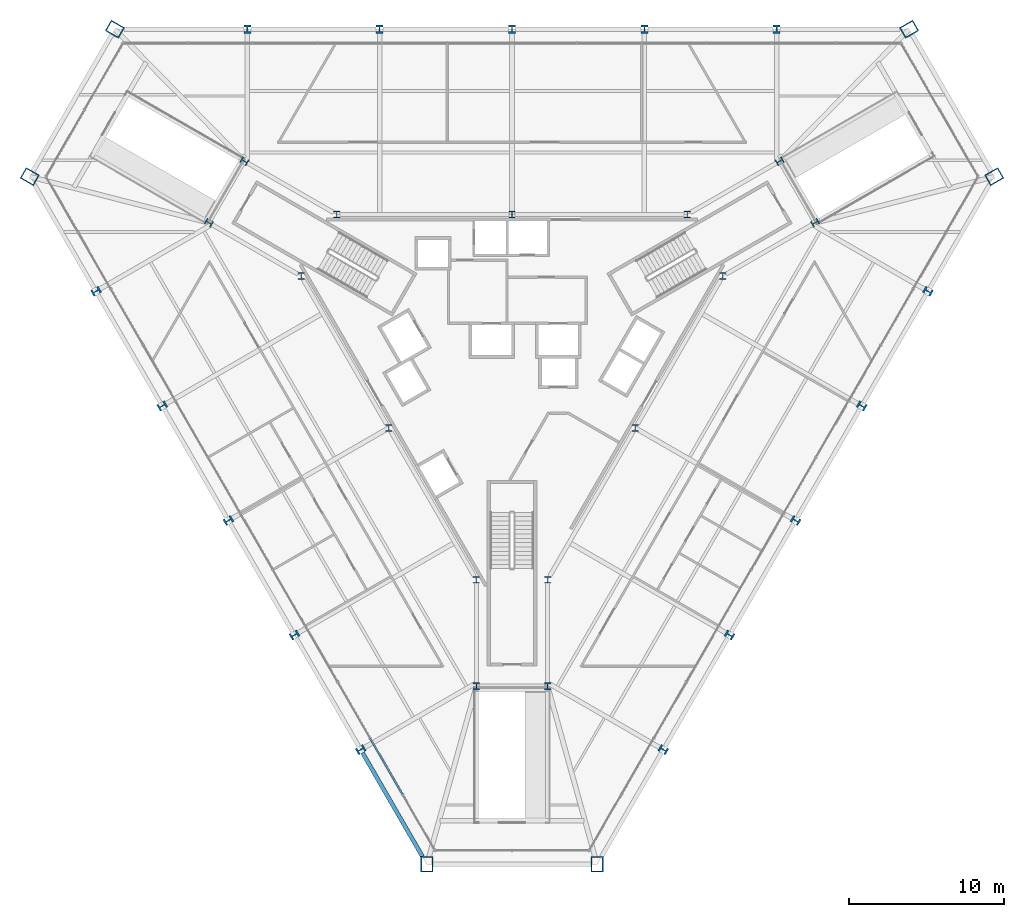
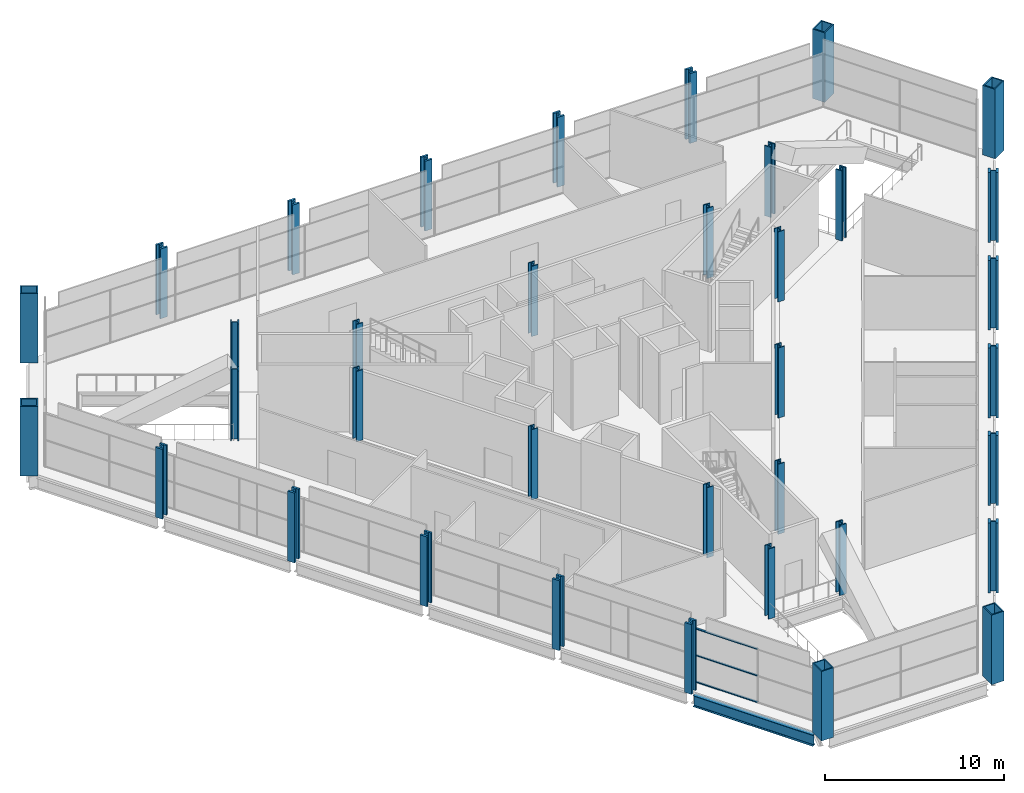
# One storey, part 1 of 18: 36 columns, 3 members, 1 beam, 1 element without a shape of its own.
"""IFC4 building model written with IfcOpenShell, lengths in metres."""

from ifc_helpers import new_model, si_unit, direction, frame, origin, origin_2d, place, context, subcontext, project, spatial, rectangle, hollow_rectangle, i_section, extrude, material, layer, layer_set, material_profile, profile_set, type_object, element, aggregate, save


model = new_model("IFC4")

# Units and contexts
model_context = context("Model", 3, precision=1e-05, world=origin(), true_north=direction((0.0, 1.0)))
body_context = subcontext(model_context, "Body", "Model", "MODEL_VIEW")
ifc_project = project(units=[si_unit("LENGTHUNIT", "METRE"), si_unit("AREAUNIT", "SQUARE_METRE"), si_unit("VOLUMEUNIT", "CUBIC_METRE"), si_unit("PLANEANGLEUNIT", "RADIAN"), si_unit("MASSUNIT", "GRAM", prefix="KILO")], contexts=[model_context])

# Site, building, storey
site_placement = place(None, origin())
site = spatial("IfcSite", under=ifc_project, at=site_placement, CompositionType="ELEMENT")
building_placement = place(site_placement, origin())
building = spatial("IfcBuilding", under=site, at=building_placement, Name="Verrane Prism Tower", CompositionType="ELEMENT")
storey_placement = place(building_placement, frame((0.0, 0.0, 27.199951171875)))
storey = spatial("IfcBuildingStorey", under=building, at=storey_placement, Name="L04", CompositionType="ELEMENT", Elevation=27.199951171875)

# Columns
ifc_material_1 = material(Name="Steel A992", Category="steel")
ifc_material_profile_1 = material_profile(ifc_material_1, i_section(OverallWidth=0.424072265625, OverallDepth=0.47509765625, WebThickness=0.0478515625, FlangeThickness=0.0771484375, FilletRadius=0.014892578125, at=origin_2d()), Name="W14x426")
ifc_profile_set_1 = profile_set([ifc_material_profile_1], Name="Steel A992")
column_type_1 = type_object("IfcColumnType", Name="Core corner column W14x426", PredefinedType="COLUMN", material=ifc_profile_set_1)
for number, where, z_axis, x_axis, name in (
    (1, (19.60009765625, 8.659912109375, 0.0), (0.0, 0.0, 1.0), (0.5, -0.866025403784, 0.0), "Core corner column CK-NEm L04"),
    (2, (17.300048828125, 12.639892578125, 0.0), (0.0, 0.0, 1.0), (0.5, -0.866025403784, 0.0), "Core corner column CK-NEp L04"),
    (3, (-17.300048828125, 12.639892578125, 0.0), (0.0, 0.0, 1.0), (0.5, 0.866025403784, 0.0), "Core corner column CK-NWm L04"),
    (4, (-19.60009765625, 8.659912109375, 0.0), (0.0, 0.0, 1.0), (0.5, 0.866025403784, 0.0), "Core corner column CK-NWp L04"),
    (5, (-2.300048828125, -21.300048828125, 0.0), (0.0, 0.0, 1.0), (-1.0, 0.0, 0.0), "Core corner column CK-Sm L04"),
    (6, (2.300048828125, -21.300048828125, 0.0), (0.0, 0.0, 1.0), (-1.0, 0.0, 0.0), "Core corner column CK-Sp L04"),
):
    element("IfcColumn", number, at=place(storey_placement, frame(where, z_axis=z_axis, x_axis=x_axis)), inside=storey, type_object=column_type_1, Name=name, PredefinedType="COLUMN", context=body_context, shape_type="SweptSolid", body=[
        extrude(i_section(OverallWidth=0.424072265625, OverallDepth=0.47509765625, WebThickness=0.0478515625, FlangeThickness=0.0771484375, FilletRadius=0.014892578125, at=origin_2d()), origin(), (0.0, 0.0, 1.0), 4.800048828125),
    ])
ifc_material_2 = material(Name="Steel A992", Category="steel")
ifc_material_profile_2 = material_profile(ifc_material_2, i_section(OverallWidth=0.411376953125, OverallDepth=0.434326171875, WebThickness=0.035888671875, FlangeThickness=0.057373046875, FilletRadius=0.01513671875, at=origin_2d()), Name="W14x311")
ifc_profile_set_2 = profile_set([ifc_material_profile_2], Name="Steel A992")
column_type_2 = type_object("IfcColumnType", Name="Core side column W14x311", PredefinedType="COLUMN", material=ifc_profile_set_2)
for number, where, z_axis, x_axis, name in (
    (7, (13.6298828125, 5.219970703125, 0.0), (0.0, 0.0, 1.0), (1.0, 0.0, 0.0), "Core side column CC-NEm L04"),
    (8, (11.330078125, 9.199951171875, 0.0), (0.0, 0.0, 1.0), (1.0, 0.0, 0.0), "Core side column CC-NEp L04"),
    (9, (0.0, 9.199951171875, 0.0), (0.0, 0.0, 1.0), (1.0, 0.0, 0.0), "Core side column CC-N0 L04"),
    (10, (-11.330078125, 9.199951171875, 0.0), (0.0, 0.0, 1.0), (1.0, 0.0, 0.0), "Core side column CC-NWm L04"),
    (11, (-13.6298828125, 5.219970703125, 0.0), (0.0, 0.0, 1.0), (1.0, 0.0, 0.0), "Core side column CC-NWp L04"),
    (12, (-7.969970703125, -4.60009765625, 0.0), (0.0, 0.0, 1.0), (1.0, 0.0, 0.0), "Core side column CC-SW0 L04"),
    (13, (-2.300048828125, -14.419921875, 0.0), (0.0, 0.0, 1.0), (1.0, 0.0, 0.0), "Core side column CC-Sm L04"),
    (14, (2.300048828125, -14.419921875, 0.0), (0.0, 0.0, 1.0), (1.0, 0.0, 0.0), "Core side column CC-Sp L04"),
    (15, (7.969970703125, -4.60009765625, 0.0), (0.0, 0.0, 1.0), (1.0, 0.0, 0.0), "Core side column CC-SE0 L04"),
):
    element("IfcColumn", number, at=place(storey_placement, frame(where, z_axis=z_axis, x_axis=x_axis)), inside=storey, type_object=column_type_2, Name=name, PredefinedType="COLUMN", context=body_context, shape_type="SweptSolid", body=[
        extrude(i_section(OverallWidth=0.411376953125, OverallDepth=0.434326171875, WebThickness=0.035888671875, FlangeThickness=0.057373046875, FilletRadius=0.01513671875, at=origin_2d()), origin(), (0.0, 0.0, 1.0), 4.800048828125),
    ])
ifc_material_3 = material(Name="Steel A572 Grade 50", Category="steel")
ifc_material_profile_3 = material_profile(ifc_material_3, hollow_rectangle(XDim=0.800048828125, YDim=1.0, WallThickness=0.074951171875, at=origin_2d()), Name="BOX 1000x800x75")
ifc_profile_set_3 = profile_set([ifc_material_profile_3], Name="Steel A572 Grade 50")
column_type_3 = type_object("IfcColumnType", Name="Megacolumn BOX 1000x800x75", PredefinedType="COLUMN", material=ifc_profile_set_3)
for number, where, z_axis, x_axis, name in (
    (16, (25.669921875, 21.169921875, 0.0), (0.0, 0.0, 1.0), (0.5, -0.866025403784, 0.0), "Megacolumn MC-NE.b L04"),
    (17, (-25.669921875, 21.169921875, 0.0), (0.0, 0.0, 1.0), (0.5, 0.866025403784, 0.0), "Megacolumn MC-NW.a L04"),
    (18, (-31.169921875, 11.639892578125, 0.0), (0.0, 0.0, 1.0), (0.5, 0.866025403784, 0.0), "Megacolumn MC-NW.b L04"),
    (19, (-5.5, -32.81005859375, 0.0), (0.0, 0.0, 1.0), (-1.0, 0.0, 0.0), "Megacolumn MC-S.a L04"),
    (20, (5.5, -32.81005859375, 0.0), (0.0, 0.0, 1.0), (-1.0, 0.0, 0.0), "Megacolumn MC-S.b L04"),
    (21, (31.169921875, 11.639892578125, 0.0), (0.0, 0.0, 1.0), (0.5, -0.866025403784, 0.0), "Megacolumn MC-NE.a L04"),
):
    element("IfcColumn", number, at=place(storey_placement, frame(where, z_axis=z_axis, x_axis=x_axis)), inside=storey, type_object=column_type_3, Name=name, PredefinedType="COLUMN", context=body_context, shape_type="SweptSolid", body=[
        extrude(hollow_rectangle(XDim=0.800048828125, YDim=1.0, WallThickness=0.074951171875, at=origin_2d()), origin(), (0.0, 0.0, 1.0), 4.755126953125),
    ])
ifc_material_4 = material(Name="Steel A992", Category="steel")
ifc_material_profile_4 = material_profile(ifc_material_4, i_section(OverallWidth=0.45458984375, OverallDepth=0.56884765625, WebThickness=0.077880859375, FlangeThickness=0.124755859375, FilletRadius=0.01513671875, at=origin_2d()), Name="W14x730")
ifc_profile_set_4 = profile_set([ifc_material_profile_4], Name="Steel A992")
column_type_4 = type_object("IfcColumnType", Name="Perimeter column W14x730", PredefinedType="COLUMN", material=ifc_profile_set_4)
column_1_placement = place(storey_placement, frame((17.110107421875, 21.169921875, 0.0), z_axis=(0.0, 0.0, 1.0), x_axis=(1.0, 0.0, 0.0)))
element("IfcColumn", 22, at=column_1_placement, inside=storey, type_object=column_type_4, Name="Perimeter column PC-N1 L04", PredefinedType="COLUMN", context=body_context, shape_type="SweptSolid", body=[
    extrude(i_section(OverallWidth=0.45458984375, OverallDepth=0.56884765625, WebThickness=0.077880859375, FlangeThickness=0.124755859375, FilletRadius=0.01513671875, at=origin_2d()), origin(), (0.0, 0.0, 1.0), 4.77001953125),
])
for number, where, z_axis, x_axis, name in (
    (23, (8.56005859375, 21.169921875, 0.0), (0.0, 0.0, 1.0), (1.0, 0.0, 0.0), "Perimeter column PC-N2 L04"),
    (24, (0.0, 21.169921875, 0.0), (0.0, 0.0, 1.0), (1.0, 0.0, 0.0), "Perimeter column PC-N3 L04"),
    (25, (-8.56005859375, 21.169921875, 0.0), (0.0, 0.0, 1.0), (1.0, 0.0, 0.0), "Perimeter column PC-N4 L04"),
):
    element("IfcColumn", number, at=place(storey_placement, frame(where, z_axis=z_axis, x_axis=x_axis)), inside=storey, type_object=column_type_4, Name=name, PredefinedType="COLUMN", context=body_context, shape_type="SweptSolid", body=[
        extrude(i_section(OverallWidth=0.45458984375, OverallDepth=0.56884765625, WebThickness=0.077880859375, FlangeThickness=0.124755859375, FilletRadius=0.01513671875, at=origin_2d()), origin(), (0.0, 0.0, 1.0), 4.775146484375),
    ])
for number, where, z_axis, x_axis, name in (
    (26, (-17.110107421875, 21.169921875, 0.0), (0.0, 0.0, 1.0), (1.0, 0.0, 0.0), "Perimeter column PC-N5 L04"),
    (27, (-26.889892578125, 4.22998046875, 0.0), (0.0, 0.0, 1.0), (-0.5, 0.866025403784, 0.0), "Perimeter column PC-SW1 L04"),
):
    element("IfcColumn", number, at=place(storey_placement, frame(where, z_axis=z_axis, x_axis=x_axis)), inside=storey, type_object=column_type_4, Name=name, PredefinedType="COLUMN", context=body_context, shape_type="SweptSolid", body=[
        extrude(i_section(OverallWidth=0.45458984375, OverallDepth=0.56884765625, WebThickness=0.077880859375, FlangeThickness=0.124755859375, FilletRadius=0.01513671875, at=origin_2d()), origin(), (0.0, 0.0, 1.0), 4.77001953125),
    ])
for number, where, z_axis, x_axis, name in (
    (28, (-22.610107421875, -3.179931640625, 0.0), (0.0, 0.0, 1.0), (-0.5, 0.866025403784, 0.0), "Perimeter column PC-SW2 L04"),
    (29, (-18.330078125, -10.590087890625, 0.0), (0.0, 0.0, 1.0), (-0.5, 0.866025403784, 0.0), "Perimeter column PC-SW3 L04"),
    (30, (-14.06005859375, -17.989990234375, 0.0), (0.0, 0.0, 1.0), (-0.5, 0.866025403784, 0.0), "Perimeter column PC-SW4 L04"),
):
    element("IfcColumn", number, at=place(storey_placement, frame(where, z_axis=z_axis, x_axis=x_axis)), inside=storey, type_object=column_type_4, Name=name, PredefinedType="COLUMN", context=body_context, shape_type="SweptSolid", body=[
        extrude(i_section(OverallWidth=0.45458984375, OverallDepth=0.56884765625, WebThickness=0.077880859375, FlangeThickness=0.124755859375, FilletRadius=0.01513671875, at=origin_2d()), origin(), (0.0, 0.0, 1.0), 4.775146484375),
    ])
for number, where, z_axis, x_axis, name in (
    (31, (-9.780029296875, -25.39990234375, 0.0), (0.0, 0.0, 1.0), (-0.5, 0.866025403784, 0.0), "Perimeter column PC-SW5 L04"),
    (32, (9.780029296875, -25.39990234375, 0.0), (0.0, 0.0, 1.0), (-0.5, -0.866025403784, 0.0), "Perimeter column PC-SE1 L04"),
):
    element("IfcColumn", number, at=place(storey_placement, frame(where, z_axis=z_axis, x_axis=x_axis)), inside=storey, type_object=column_type_4, Name=name, PredefinedType="COLUMN", context=body_context, shape_type="SweptSolid", body=[
        extrude(i_section(OverallWidth=0.45458984375, OverallDepth=0.56884765625, WebThickness=0.077880859375, FlangeThickness=0.124755859375, FilletRadius=0.01513671875, at=origin_2d()), origin(), (0.0, 0.0, 1.0), 4.77001953125),
    ])
for number, where, z_axis, x_axis, name in (
    (33, (14.06005859375, -17.989990234375, 0.0), (0.0, 0.0, 1.0), (-0.5, -0.866025403784, 0.0), "Perimeter column PC-SE2 L04"),
    (34, (18.330078125, -10.590087890625, 0.0), (0.0, 0.0, 1.0), (-0.5, -0.866025403784, 0.0), "Perimeter column PC-SE3 L04"),
    (35, (22.610107421875, -3.179931640625, 0.0), (0.0, 0.0, 1.0), (-0.5, -0.866025403784, 0.0), "Perimeter column PC-SE4 L04"),
):
    element("IfcColumn", number, at=place(storey_placement, frame(where, z_axis=z_axis, x_axis=x_axis)), inside=storey, type_object=column_type_4, Name=name, PredefinedType="COLUMN", context=body_context, shape_type="SweptSolid", body=[
        extrude(i_section(OverallWidth=0.45458984375, OverallDepth=0.56884765625, WebThickness=0.077880859375, FlangeThickness=0.124755859375, FilletRadius=0.01513671875, at=origin_2d()), origin(), (0.0, 0.0, 1.0), 4.775146484375),
    ])
column_2_placement = place(storey_placement, frame((26.889892578125, 4.22998046875, 0.0), z_axis=(0.0, 0.0, 1.0), x_axis=(-0.5, -0.866025403784, 0.0)))
element("IfcColumn", 36, at=column_2_placement, inside=storey, type_object=column_type_4, Name="Perimeter column PC-SE5 L04", PredefinedType="COLUMN", context=body_context, shape_type="SweptSolid", body=[
    extrude(i_section(OverallWidth=0.45458984375, OverallDepth=0.56884765625, WebThickness=0.077880859375, FlangeThickness=0.124755859375, FilletRadius=0.01513671875, at=origin_2d()), origin(), (0.0, 0.0, 1.0), 4.77001953125),
])

# Curtain wall, members
ifc_material_5 = material(Name="Aluminium and glass curtain wall", Category="aluminium")
ifc_layer = layer(ifc_material_5, 0.199951171875)
ifc_layer_set = layer_set([ifc_layer], Name="CWB-1 retail curtain wall")
curtain_wall_type = type_object("IfcCurtainWallType", Name="CWB-1 retail curtain wall", PredefinedType="NOTDEFINED", material=ifc_layer_set)
curtain_wall_placement = place(storey_placement, origin())
curtain_wall = element("IfcCurtainWall", 37, at=curtain_wall_placement, inside=storey, type_object=curtain_wall_type, Name="Retail curtain wall L04 4", PredefinedType="NOTDEFINED")
ifc_material_6 = material(Name="Aluminium", Category="aluminium")
ifc_material_profile_5 = material_profile(ifc_material_6, rectangle(XDim=0.1201171875, YDim=0.06005859375, at=origin_2d()), Name="CWB-T 60x120 transom")
ifc_profile_set_5 = profile_set([ifc_material_profile_5], Name="Aluminium")
member_type = type_object("IfcMemberType", Name="CWB-T 60x120 transom", PredefinedType="USERDEFINED", material=ifc_profile_set_5)
member_1_placement = place(storey_placement, frame((-9.15673828125, -24.68017578125, 0.030029296875), z_axis=(0.499996977546, -0.866027148792, 0.0), x_axis=(0.866027148792, 0.499996977546, 0.0)))
member_1 = element("IfcMember", 38, at=member_1_placement, type_object=member_type, Name="CWB44 transom 11.1", ObjectType="TRANSOM", PredefinedType="USERDEFINED", context=body_context, shape_type="SweptSolid", body=[
    extrude(rectangle(XDim=0.1201171875, YDim=0.06005859375, at=origin_2d()), origin(), (0.0, 0.0, 1.0), 4.13134765625),
])
member_2_placement = place(storey_placement, frame((-9.15673828125, -24.68017578125, 1.844970703125), z_axis=(0.499996977546, -0.866027148792, 0.0), x_axis=(0.866027148792, 0.499996977546, 0.0)))
member_2 = element("IfcMember", 39, at=member_2_placement, type_object=member_type, Name="CWB44 transom 11.2", ObjectType="TRANSOM", PredefinedType="USERDEFINED", context=body_context, shape_type="SweptSolid", body=[
    extrude(rectangle(XDim=0.1201171875, YDim=0.06005859375, at=origin_2d()), origin(), (0.0, 0.0, 1.0), 4.13134765625),
])
member_3_placement = place(storey_placement, frame((-9.15673828125, -24.68017578125, 3.66015625), z_axis=(0.499996977546, -0.866027148792, 0.0), x_axis=(0.866027148792, 0.499996977546, 0.0)))
member_3 = element("IfcMember", 40, at=member_3_placement, type_object=member_type, Name="CWB44 transom 11.3", ObjectType="TRANSOM", PredefinedType="USERDEFINED", context=body_context, shape_type="SweptSolid", body=[
    extrude(rectangle(XDim=0.1201171875, YDim=0.06005859375, at=origin_2d()), origin(), (0.0, 0.0, 1.0), 4.13134765625),
])
aggregate(curtain_wall, [member_1, member_2, member_3])

# Beam
ifc_material_7 = material(Name="Steel A992", Category="steel")
ifc_material_profile_6 = material_profile(ifc_material_7, i_section(OverallWidth=0.2666015625, OverallDepth=0.76708984375, WebThickness=0.014892578125, FlangeThickness=0.023681640625, FilletRadius=0.0166015625, at=origin_2d()), Name="W30x124")
ifc_profile_set_6 = profile_set([ifc_material_profile_6], Name="Steel A992")
beam_type = type_object("IfcBeamType", Name="Spandrel beam W30x124", PredefinedType="SPANDREL", material=ifc_profile_set_6)
beam_placement = place(storey_placement, frame((-9.666259765625, -25.596923828125, -0.54345703125), z_axis=(0.500155868966, -0.865935394091, 0.0), x_axis=(0.865935394091, 0.500155868966, 0.0)))
element("IfcBeam", 41, at=beam_placement, inside=storey, type_object=beam_type, Name="Spandrel beam L04", PredefinedType="SPANDREL", context=body_context, shape_type="SweptSolid", body=[
    extrude(i_section(OverallWidth=0.2666015625, OverallDepth=0.76708984375, WebThickness=0.014892578125, FlangeThickness=0.023681640625, FilletRadius=0.0166015625, at=origin_2d()), origin(), (0.0, 0.0, 1.0), 7.75244140625),
])

save(model, "model.ifc")
